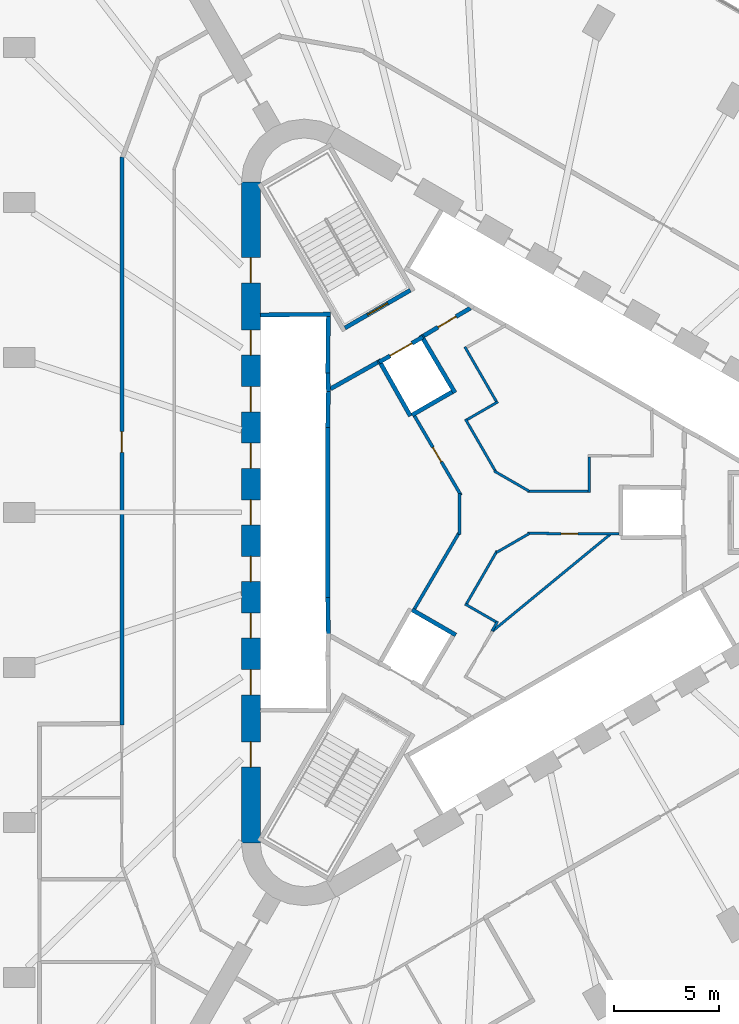
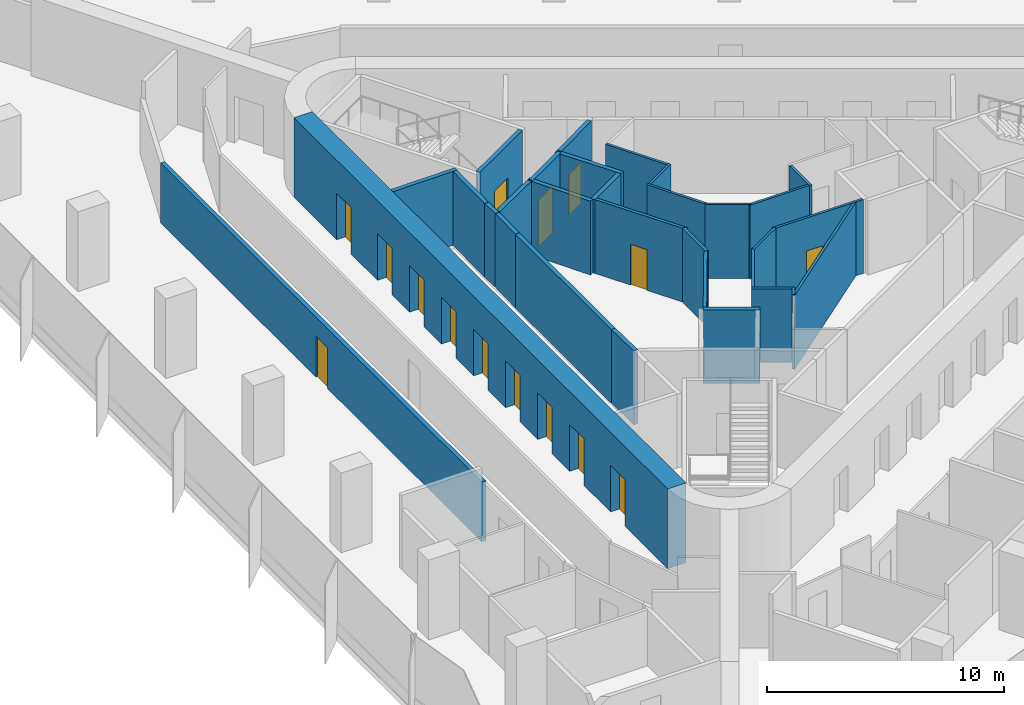
# One storey, part 11 of 15: 31 walls, 15 doors, 15 openings.
"""IFC4 building model written with IfcOpenShell, lengths in metres."""

from ifc_helpers import new_model, si_unit, direction, frame, frame_2d, origin, place, context, subcontext, project, spatial, rectangle, extrude, material, layer, layer_set, type_object, element, fill, save


model = new_model("IFC4")

# Units and contexts
model_context = context("Model", 3, precision=1e-05, world=origin(), true_north=direction((0.0, 1.0)))
body_context = subcontext(model_context, "Body", "Model", "MODEL_VIEW")
ifc_project = project(units=[si_unit("LENGTHUNIT", "METRE"), si_unit("AREAUNIT", "SQUARE_METRE"), si_unit("VOLUMEUNIT", "CUBIC_METRE"), si_unit("PLANEANGLEUNIT", "RADIAN"), si_unit("MASSUNIT", "GRAM", prefix="KILO")], contexts=[model_context])

# Site, building, storey
site_placement = place(None, origin())
site = spatial("IfcSite", under=ifc_project, at=site_placement, CompositionType="ELEMENT")
building_placement = place(site_placement, origin())
building = spatial("IfcBuilding", under=site, at=building_placement, Name="Tanit Gate Tower", CompositionType="ELEMENT")
storey_placement = place(building_placement, frame((0.0, 0.0, 131.60009765625)))
storey = spatial("IfcBuildingStorey", under=building, at=storey_placement, Name="L28", CompositionType="ELEMENT", Elevation=131.60009765625)

# Wall, openings, doors
ifc_material_1 = material(Name="Concrete C60/75", Category="concrete")
ifc_layer_1 = layer(ifc_material_1, 0.89990234375)
ifc_layer_set_1 = layer_set([ifc_layer_1], Name="CORE WALL 900 C60/75")
wall_type_1 = type_object("IfcWallType", Name="CORE WALL 900 C60/75", PredefinedType="SHEAR", material=ifc_layer_set_1)
wall_1_placement = place(storey_placement, frame((-11.64990234375, 15.76171875, 0.0), z_axis=(0.0, 0.0, 1.0), x_axis=(0.0, -1.0, 0.0)))
wall_1 = element("IfcWall", 1, at=wall_1_placement, inside=storey, type_object=wall_type_1, Name="CORE WALL", PredefinedType="SHEAR", context=body_context, shape_type="SweptSolid", body=[
    extrude(rectangle(XDim=31.5234375, YDim=0.89990234375, at=frame_2d((15.76171875, 0.0))), origin(), (0.0, 0.0, 1.0), 4.099853515625),
])
opening_1_placement = place(wall_1_placement, frame((7.061767578125, 0.0, 0.0)))
opening_1 = element("IfcOpeningElement", 2, at=opening_1_placement, cuts=wall_1, Name="Opening LDLL1-S07", PredefinedType="OPENING", context=body_context, shape_type="SweptSolid", body=[
    extrude(rectangle(XDim=1.199951171875, YDim=2.39990234375, at=frame_2d((0.60009765625, 1.199951171875))), frame((0.0, 0.4599609375, 0.0), z_axis=(0.0, -1.0, 0.0), x_axis=(1.0, 0.0, 0.0)), (0.0, 0.0, 1.0), 0.919921875),
])
opening_2_placement = place(wall_1_placement, frame((9.76171875, 0.0, 0.0)))
opening_2 = element("IfcOpeningElement", 3, at=opening_2_placement, cuts=wall_1, Name="Opening LDLL2-S07", PredefinedType="OPENING", context=body_context, shape_type="SweptSolid", body=[
    extrude(rectangle(XDim=1.199951171875, YDim=2.39990234375, at=frame_2d((0.60009765625, 1.199951171875))), frame((0.0, 0.4599609375, 0.0), z_axis=(0.0, -1.0, 0.0), x_axis=(1.0, 0.0, 0.0)), (0.0, 0.0, 1.0), 0.919921875),
])
opening_3_placement = place(wall_1_placement, frame((12.461669921875, 0.0, 0.0)))
opening_3 = element("IfcOpeningElement", 4, at=opening_3_placement, cuts=wall_1, Name="Opening LDLL3-S07", PredefinedType="OPENING", context=body_context, shape_type="SweptSolid", body=[
    extrude(rectangle(XDim=1.199951171875, YDim=2.39990234375, at=frame_2d((0.60009765625, 1.199951171875))), frame((0.0, 0.4599609375, 0.0), z_axis=(0.0, -1.0, 0.0), x_axis=(1.0, 0.0, 0.0)), (0.0, 0.0, 1.0), 0.919921875),
])
opening_4_placement = place(wall_1_placement, frame((15.16162109375, 0.0, 0.0)))
opening_4 = element("IfcOpeningElement", 5, at=opening_4_placement, cuts=wall_1, Name="Opening LDLL4-S07", PredefinedType="OPENING", context=body_context, shape_type="SweptSolid", body=[
    extrude(rectangle(XDim=1.199951171875, YDim=2.39990234375, at=frame_2d((0.60009765625, 1.199951171875))), frame((0.0, 0.4599609375, 0.0), z_axis=(0.0, -1.0, 0.0), x_axis=(1.0, 0.0, 0.0)), (0.0, 0.0, 1.0), 0.919921875),
])
opening_5_placement = place(wall_1_placement, frame((17.86181640625, 0.0, 0.0)))
opening_5 = element("IfcOpeningElement", 6, at=opening_5_placement, cuts=wall_1, Name="Opening LDLL5-S07", PredefinedType="OPENING", context=body_context, shape_type="SweptSolid", body=[
    extrude(rectangle(XDim=1.199951171875, YDim=2.39990234375, at=frame_2d((0.60009765625, 1.199951171875))), frame((0.0, 0.4599609375, 0.0), z_axis=(0.0, -1.0, 0.0), x_axis=(1.0, 0.0, 0.0)), (0.0, 0.0, 1.0), 0.919921875),
])
opening_6_placement = place(wall_1_placement, frame((20.561767578125, 0.0, 0.0)))
opening_6 = element("IfcOpeningElement", 7, at=opening_6_placement, cuts=wall_1, Name="Opening LDLL6-S07", PredefinedType="OPENING", context=body_context, shape_type="SweptSolid", body=[
    extrude(rectangle(XDim=1.199951171875, YDim=2.39990234375, at=frame_2d((0.60009765625, 1.199951171875))), frame((0.0, 0.4599609375, 0.0), z_axis=(0.0, -1.0, 0.0), x_axis=(1.0, 0.0, 0.0)), (0.0, 0.0, 1.0), 0.919921875),
])
opening_7_placement = place(wall_1_placement, frame((23.26171875, 0.0, 0.0)))
opening_7 = element("IfcOpeningElement", 8, at=opening_7_placement, cuts=wall_1, Name="Opening LDLL7-S07", PredefinedType="OPENING", context=body_context, shape_type="SweptSolid", body=[
    extrude(rectangle(XDim=1.199951171875, YDim=2.39990234375, at=frame_2d((0.60009765625, 1.199951171875))), frame((0.0, 0.4599609375, 0.0), z_axis=(0.0, -1.0, 0.0), x_axis=(1.0, 0.0, 0.0)), (0.0, 0.0, 1.0), 0.919921875),
])
opening_8_placement = place(wall_1_placement, frame((3.61181640625, 0.0, 0.0)))
opening_8 = element("IfcOpeningElement", 9, at=opening_8_placement, cuts=wall_1, Name="Opening F12-S07-FL2", PredefinedType="OPENING", context=body_context, shape_type="SweptSolid", body=[
    extrude(rectangle(XDim=1.199951171875, YDim=2.39990234375, at=frame_2d((0.60009765625, 1.199951171875))), frame((0.0, 0.4599609375, 0.0), z_axis=(0.0, -1.0, 0.0), x_axis=(1.0, 0.0, 0.0)), (0.0, 0.0, 1.0), 0.919921875),
])
opening_9_placement = place(wall_1_placement, frame((26.711669921875, 0.0, 0.0)))
opening_9 = element("IfcOpeningElement", 10, at=opening_9_placement, cuts=wall_1, Name="Opening F12-S07-S3", PredefinedType="OPENING", context=body_context, shape_type="SweptSolid", body=[
    extrude(rectangle(XDim=1.199951171875, YDim=2.39990234375, at=frame_2d((0.60009765625, 1.199951171875))), frame((0.0, 0.4599609375, 0.0), z_axis=(0.0, -1.0, 0.0), x_axis=(1.0, 0.0, 0.0)), (0.0, 0.0, 1.0), 0.919921875),
])
ifc_material_2 = material(Name="Fire-rated steel door leaf", Category="steel")
door_type_1 = type_object("IfcDoorType", Name="INT-DOOR-FIRE-LOBBY-1200", OperationType="NOTDEFINED", PredefinedType="USERDEFINED", material=ifc_material_2)
door_1_placement = place(opening_8_placement, origin())
door_1 = element("IfcDoor", 11, at=door_1_placement, inside=storey, type_object=door_type_1, Name="Door F12-S07-FL2", ObjectType="FIRE DOOR", OperationType="SINGLE_SWING_LEFT", OverallHeight=2.39990234375, OverallWidth=1.199951171875, PredefinedType="USERDEFINED", context=body_context, shape_type="SweptSolid", body=[
    extrude(rectangle(XDim=1.199951171875, YDim=2.39990234375, at=frame_2d((0.60009765625, 1.199951171875))), frame((0.0, 0.02490234375, 0.0), z_axis=(0.0, -1.0, 0.0), x_axis=(1.0, 0.0, 0.0)), (0.0, 0.0, 1.0), 0.050048828125),
])
fill(opening_8, door_1)
door_2_placement = place(opening_9_placement, origin())
door_2 = element("IfcDoor", 12, at=door_2_placement, inside=storey, type_object=door_type_1, Name="Door F12-S07-S3", ObjectType="FIRE DOOR", OperationType="SINGLE_SWING_LEFT", OverallHeight=2.39990234375, OverallWidth=1.199951171875, PredefinedType="USERDEFINED", context=body_context, shape_type="SweptSolid", body=[
    extrude(rectangle(XDim=1.199951171875, YDim=2.39990234375, at=frame_2d((0.60009765625, 1.199951171875))), frame((0.0, 0.02490234375, 0.0), z_axis=(0.0, -1.0, 0.0), x_axis=(1.0, 0.0, 0.0)), (0.0, 0.0, 1.0), 0.050048828125),
])
fill(opening_9, door_2)
ifc_material_3 = material(Name="Stainless steel sliding door leaf", Category="steel")
door_type_2 = type_object("IfcDoorType", Name="INT-DOOR-LANDING-1200", OperationType="NOTDEFINED", PredefinedType="USERDEFINED", material=ifc_material_3)
door_3_placement = place(opening_1_placement, origin())
door_3 = element("IfcDoor", 13, at=door_3_placement, inside=storey, type_object=door_type_2, Name="Door LDLL1-S07", ObjectType="LANDING DOOR", OperationType="SLIDING_TO_LEFT", OverallHeight=2.39990234375, OverallWidth=1.199951171875, PredefinedType="USERDEFINED", context=body_context, shape_type="SweptSolid", body=[
    extrude(rectangle(XDim=1.199951171875, YDim=2.39990234375, at=frame_2d((0.60009765625, 1.199951171875))), frame((0.0, 0.02490234375, 0.0), z_axis=(0.0, -1.0, 0.0), x_axis=(1.0, 0.0, 0.0)), (0.0, 0.0, 1.0), 0.050048828125),
])
fill(opening_1, door_3)
door_4_placement = place(opening_2_placement, origin())
door_4 = element("IfcDoor", 14, at=door_4_placement, inside=storey, type_object=door_type_2, Name="Door LDLL2-S07", ObjectType="LANDING DOOR", OperationType="SLIDING_TO_LEFT", OverallHeight=2.39990234375, OverallWidth=1.199951171875, PredefinedType="USERDEFINED", context=body_context, shape_type="SweptSolid", body=[
    extrude(rectangle(XDim=1.199951171875, YDim=2.39990234375, at=frame_2d((0.60009765625, 1.199951171875))), frame((0.0, 0.02490234375, 0.0), z_axis=(0.0, -1.0, 0.0), x_axis=(1.0, 0.0, 0.0)), (0.0, 0.0, 1.0), 0.050048828125),
])
fill(opening_2, door_4)
door_5_placement = place(opening_3_placement, origin())
door_5 = element("IfcDoor", 15, at=door_5_placement, inside=storey, type_object=door_type_2, Name="Door LDLL3-S07", ObjectType="LANDING DOOR", OperationType="SLIDING_TO_LEFT", OverallHeight=2.39990234375, OverallWidth=1.199951171875, PredefinedType="USERDEFINED", context=body_context, shape_type="SweptSolid", body=[
    extrude(rectangle(XDim=1.199951171875, YDim=2.39990234375, at=frame_2d((0.60009765625, 1.199951171875))), frame((0.0, 0.02490234375, 0.0), z_axis=(0.0, -1.0, 0.0), x_axis=(1.0, 0.0, 0.0)), (0.0, 0.0, 1.0), 0.050048828125),
])
fill(opening_3, door_5)
door_6_placement = place(opening_4_placement, origin())
door_6 = element("IfcDoor", 16, at=door_6_placement, inside=storey, type_object=door_type_2, Name="Door LDLL4-S07", ObjectType="LANDING DOOR", OperationType="SLIDING_TO_LEFT", OverallHeight=2.39990234375, OverallWidth=1.199951171875, PredefinedType="USERDEFINED", context=body_context, shape_type="SweptSolid", body=[
    extrude(rectangle(XDim=1.199951171875, YDim=2.39990234375, at=frame_2d((0.60009765625, 1.199951171875))), frame((0.0, 0.02490234375, 0.0), z_axis=(0.0, -1.0, 0.0), x_axis=(1.0, 0.0, 0.0)), (0.0, 0.0, 1.0), 0.050048828125),
])
fill(opening_4, door_6)
door_7_placement = place(opening_5_placement, origin())
door_7 = element("IfcDoor", 17, at=door_7_placement, inside=storey, type_object=door_type_2, Name="Door LDLL5-S07", ObjectType="LANDING DOOR", OperationType="SLIDING_TO_LEFT", OverallHeight=2.39990234375, OverallWidth=1.199951171875, PredefinedType="USERDEFINED", context=body_context, shape_type="SweptSolid", body=[
    extrude(rectangle(XDim=1.199951171875, YDim=2.39990234375, at=frame_2d((0.60009765625, 1.199951171875))), frame((0.0, 0.02490234375, 0.0), z_axis=(0.0, -1.0, 0.0), x_axis=(1.0, 0.0, 0.0)), (0.0, 0.0, 1.0), 0.050048828125),
])
fill(opening_5, door_7)
door_8_placement = place(opening_6_placement, origin())
door_8 = element("IfcDoor", 18, at=door_8_placement, inside=storey, type_object=door_type_2, Name="Door LDLL6-S07", ObjectType="LANDING DOOR", OperationType="SLIDING_TO_LEFT", OverallHeight=2.39990234375, OverallWidth=1.199951171875, PredefinedType="USERDEFINED", context=body_context, shape_type="SweptSolid", body=[
    extrude(rectangle(XDim=1.199951171875, YDim=2.39990234375, at=frame_2d((0.60009765625, 1.199951171875))), frame((0.0, 0.02490234375, 0.0), z_axis=(0.0, -1.0, 0.0), x_axis=(1.0, 0.0, 0.0)), (0.0, 0.0, 1.0), 0.050048828125),
])
fill(opening_6, door_8)
door_9_placement = place(opening_7_placement, origin())
door_9 = element("IfcDoor", 19, at=door_9_placement, inside=storey, type_object=door_type_2, Name="Door LDLL7-S07", ObjectType="LANDING DOOR", OperationType="SLIDING_TO_LEFT", OverallHeight=2.39990234375, OverallWidth=1.199951171875, PredefinedType="USERDEFINED", context=body_context, shape_type="SweptSolid", body=[
    extrude(rectangle(XDim=1.199951171875, YDim=2.39990234375, at=frame_2d((0.60009765625, 1.199951171875))), frame((0.0, 0.02490234375, 0.0), z_axis=(0.0, -1.0, 0.0), x_axis=(1.0, 0.0, 0.0)), (0.0, 0.0, 1.0), 0.050048828125),
])
fill(opening_7, door_9)

# Wall
ifc_material_4 = material(Name="Fire-rated gypsum board partition")
ifc_layer_2 = layer(ifc_material_4, 0.199951171875)
ifc_layer_set_2 = layer_set([ifc_layer_2], Name="INT-WALL-COMPARTMENT")
wall_type_2 = type_object("IfcWallType", Name="INT-WALL-COMPARTMENT", PredefinedType="PARTITIONING", material=ifc_layer_set_2)
wall_2_placement = place(storey_placement, frame((-5.600341796875, 7.16015625, 0.0), z_axis=(0.0, 0.0, 1.0), x_axis=(-0.871340486379, -0.490678873396, 0.0)))
element("IfcWall", 20, at=wall_2_placement, inside=storey, type_object=wall_type_2, Name="Wall Compartment W061", PredefinedType="PARTITIONING", context=body_context, shape_type="SweptSolid", body=[
    extrude(rectangle(XDim=2.580810546875, YDim=0.199951171875, at=frame_2d((1.29052734375, 0.0))), origin(), (0.0, 0.0, 1.0), 3.7998046875),
])

# Wall, opening, door
wall_3_placement = place(storey_placement, frame((-1.179443359375, 9.74462890625, 0.0), z_axis=(0.0, 0.0, 1.0), x_axis=(-0.860598681535, -0.509283721849, 0.0)))
wall_3 = element("IfcWall", 21, at=wall_3_placement, inside=storey, type_object=wall_type_2, Name="Wall Compartment W062", PredefinedType="PARTITIONING", context=body_context, shape_type="SweptSolid", body=[
    extrude(rectangle(XDim=2.5810546875, YDim=0.199951171875, at=frame_2d((1.29052734375, 0.0))), origin(), (0.0, 0.0, 1.0), 3.7998046875),
])
opening_10_placement = place(wall_3_placement, frame((0.79052734375, 0.0, 0.0)))
opening_10 = element("IfcOpeningElement", 22, at=opening_10_placement, cuts=wall_3, Name="Opening F10-S07-05", PredefinedType="OPENING", context=body_context, shape_type="SweptSolid", body=[
    extrude(rectangle(XDim=1.0, YDim=2.10009765625, at=frame_2d((0.5, 1.050048828125))), frame((0.0, 0.10986328125, 0.0), z_axis=(0.0, -1.0, 0.0), x_axis=(1.0, 0.0, 0.0)), (0.0, 0.0, 1.0), 0.219970703125),
])
ifc_material_5 = material(Name="Fire-rated steel door leaf", Category="steel")
door_type_3 = type_object("IfcDoorType", Name="INT-DOOR-FIRE-1000", OperationType="NOTDEFINED", PredefinedType="USERDEFINED", material=ifc_material_5)
door_10_placement = place(opening_10_placement, origin())
door_10 = element("IfcDoor", 23, at=door_10_placement, inside=storey, type_object=door_type_3, Name="Door F10-S07-05", ObjectType="FIRE DOOR", OperationType="SINGLE_SWING_RIGHT", OverallHeight=2.10009765625, OverallWidth=1.0, PredefinedType="USERDEFINED", context=body_context, shape_type="SweptSolid", body=[
    extrude(rectangle(XDim=1.0, YDim=2.10009765625, at=frame_2d((0.5, 1.050048828125))), frame((0.0, 0.02490234375, 0.0), z_axis=(0.0, -1.0, 0.0), x_axis=(1.0, 0.0, 0.0)), (0.0, 0.0, 1.0), 0.050048828125),
])
fill(opening_10, door_10)

wall_4_placement = place(storey_placement, frame((-17.800048828125, 16.946044921875, 0.0), z_axis=(0.0, 0.0, 1.0), x_axis=(0.0, -1.0, 0.0)))
wall_4 = element("IfcWall", 24, at=wall_4_placement, inside=storey, type_object=wall_type_2, Name="Wall Compartment W091", PredefinedType="PARTITIONING", context=body_context, shape_type="SweptSolid", body=[
    extrude(rectangle(XDim=27.075927734375, YDim=0.199951171875, at=frame_2d((13.5380859375, 0.0))), origin(), (0.0, 0.0, 1.0), 3.079833984375),
])
opening_11_placement = place(wall_4_placement, frame((13.087890625, 0.0, 0.0)))
opening_11 = element("IfcOpeningElement", 25, at=opening_11_placement, cuts=wall_4, Name="Opening F10-S07-23", PredefinedType="OPENING", context=body_context, shape_type="SweptSolid", body=[
    extrude(rectangle(XDim=1.0, YDim=2.10009765625, at=frame_2d((0.5, 1.050048828125))), frame((0.0, 0.10986328125, 0.0), z_axis=(0.0, -1.0, 0.0), x_axis=(1.0, 0.0, 0.0)), (0.0, 0.0, 1.0), 0.219970703125),
])
door_11_placement = place(opening_11_placement, origin())
door_11 = element("IfcDoor", 26, at=door_11_placement, inside=storey, type_object=door_type_3, Name="Door F10-S07-23", ObjectType="FIRE DOOR", OperationType="SINGLE_SWING_LEFT", OverallHeight=2.10009765625, OverallWidth=1.0, PredefinedType="USERDEFINED", context=body_context, shape_type="SweptSolid", body=[
    extrude(rectangle(XDim=1.0, YDim=2.10009765625, at=frame_2d((0.5, 1.050048828125))), frame((0.0, 0.02490234375, 0.0), z_axis=(0.0, -1.0, 0.0), x_axis=(1.0, 0.0, 0.0)), (0.0, 0.0, 1.0), 0.050048828125),
])
fill(opening_11, door_11)

# Wall
ifc_material_6 = material(Name="Gypsum board partition")
ifc_layer_3 = layer(ifc_material_6, 0.1201171875)
ifc_layer_set_3 = layer_set([ifc_layer_3], Name="INT-WALL-PARTITION")
wall_type_3 = type_object("IfcWallType", Name="INT-WALL-PARTITION", PredefinedType="PARTITIONING", material=ifc_layer_set_3)
wall_5_placement = place(storey_placement, frame((5.5478515625, -1.0, 0.0), z_axis=(0.0, 0.0, 1.0), x_axis=(-0.772345431507, -0.635202750648, 0.0)))
element("IfcWall", 27, at=wall_5_placement, inside=storey, type_object=wall_type_3, Name="Wall Partition W068", PredefinedType="PARTITIONING", context=body_context, shape_type="SweptSolid", body=[
    extrude(rectangle(XDim=7.41455078125, YDim=0.1201171875, at=frame_2d((3.707275390625, 0.0))), origin(), (0.0, 0.0, 1.0), 3.7998046875),
])

# Wall, opening, door
wall_6_placement = place(storey_placement, frame((5.89990234375, -1.02880859375, 0.0), z_axis=(0.0, 0.0, 1.0), x_axis=(-0.999977012451, 0.006780454946, 0.0)))
wall_6 = element("IfcWall", 28, at=wall_6_placement, inside=storey, type_object=wall_type_3, Name="Wall Partition W071", PredefinedType="PARTITIONING", context=body_context, shape_type="SweptSolid", body=[
    extrude(rectangle(XDim=4.356689453125, YDim=0.1201171875, at=frame_2d((2.17822265625, 0.0))), origin(), (0.0, 0.0, 1.0), 3.7998046875),
])
opening_12_placement = place(wall_6_placement, frame((1.9541015625, 0.0, 0.0)))
opening_12 = element("IfcOpeningElement", 29, at=opening_12_placement, cuts=wall_6, Name="Opening R08-S07-12", PredefinedType="OPENING", context=body_context, shape_type="SweptSolid", body=[
    extrude(rectangle(XDim=0.800048828125, YDim=2.10009765625, at=frame_2d((0.39990234375, 1.050048828125))), frame((0.0, 0.070068359375, 0.0), z_axis=(0.0, -1.0, 0.0), x_axis=(1.0, 0.0, 0.0)), (0.0, 0.0, 1.0), 0.14013671875),
])
ifc_material_7 = material(Name="Timber door leaf", Category="wood")
door_type_4 = type_object("IfcDoorType", Name="INT-DOOR-RISER-800", OperationType="NOTDEFINED", PredefinedType="USERDEFINED", material=ifc_material_7)
door_12_placement = place(opening_12_placement, origin())
door_12 = element("IfcDoor", 30, at=door_12_placement, inside=storey, type_object=door_type_4, Name="Door R08-S07-12", ObjectType="FIRE DOOR", OperationType="SINGLE_SWING_RIGHT", OverallHeight=2.10009765625, OverallWidth=0.800048828125, PredefinedType="USERDEFINED", context=body_context, shape_type="SweptSolid", body=[
    extrude(rectangle(XDim=0.800048828125, YDim=2.10009765625, at=frame_2d((0.39990234375, 1.050048828125))), frame((0.0, 0.02490234375, 0.0), z_axis=(0.0, -1.0, 0.0), x_axis=(1.0, 0.0, 0.0)), (0.0, 0.0, 1.0), 0.050048828125),
])
fill(opening_12, door_12)

# Walls
wall_7_placement = place(storey_placement, frame((-0.14404296875, -5.6494140625, 0.0), z_axis=(0.0, 0.0, 1.0), x_axis=(0.499843319224, 0.866115844577, 0.0)))
element("IfcWall", 31, at=wall_7_placement, inside=storey, type_object=wall_type_3, Name="Wall Partition W072", PredefinedType="PARTITIONING", context=body_context, shape_type="SweptSolid", body=[
    extrude(rectangle(XDim=0.524658203125, YDim=0.1201171875, at=frame_2d((0.26220703125, 0.0))), origin(), (0.0, 0.0, 1.0), 3.7998046875),
])
wall_8_placement = place(storey_placement, frame((-1.43603515625, -4.3671875, 0.0), z_axis=(0.0, 0.0, 1.0), x_axis=(0.866087547558, -0.499892348375, 0.0)))
element("IfcWall", 32, at=wall_8_placement, inside=storey, type_object=wall_type_3, Name="Wall Partition W073", PredefinedType="PARTITIONING", context=body_context, shape_type="SweptSolid", body=[
    extrude(rectangle(XDim=1.699951171875, YDim=0.1201171875, at=frame_2d((0.85009765625, 0.0))), origin(), (0.0, 0.0, 1.0), 3.7998046875),
])
wall_9_placement = place(storey_placement, frame((0.09521484375, -1.8349609375, 0.0), z_axis=(0.0, 0.0, 1.0), x_axis=(-0.499980071345, -0.866036909293, 0.0)))
element("IfcWall", 33, at=wall_9_placement, inside=storey, type_object=wall_type_3, Name="Wall Partition W074", PredefinedType="PARTITIONING", context=body_context, shape_type="SweptSolid", body=[
    extrude(rectangle(XDim=2.8984375, YDim=0.1201171875, at=frame_2d((1.44921875, 0.0))), origin(), (0.0, 0.0, 1.0), 3.7998046875),
])
wall_10_placement = place(storey_placement, frame((1.629150390625, -1.009521484375, 0.0), z_axis=(0.0, 0.0, 1.0), x_axis=(-0.866046528967, -0.499963408325, 0.0)))
element("IfcWall", 34, at=wall_10_placement, inside=storey, type_object=wall_type_3, Name="Wall Partition W075", PredefinedType="PARTITIONING", context=body_context, shape_type="SweptSolid", body=[
    extrude(rectangle(XDim=1.812744140625, YDim=0.1201171875, at=frame_2d((0.90625, 0.0))), origin(), (0.0, 0.0, 1.0), 3.7998046875),
])
wall_11_placement = place(storey_placement, frame((4.5, 0.93994140625, 0.0), z_axis=(0.0, 0.0, 1.0), x_axis=(0.0, 1.0, 0.0)))
element("IfcWall", 35, at=wall_11_placement, inside=storey, type_object=wall_type_3, Name="Wall Partition W079", PredefinedType="PARTITIONING", context=body_context, shape_type="SweptSolid", body=[
    extrude(rectangle(XDim=1.699951171875, YDim=0.1201171875, at=frame_2d((0.85009765625, 0.0))), origin(), (0.0, 0.0, 1.0), 3.7998046875),
])
wall_12_placement = place(storey_placement, frame((1.54150390625, 1.0, 0.0), z_axis=(0.0, 0.0, 1.0), x_axis=(1.0, 0.0, 0.0)))
element("IfcWall", 36, at=wall_12_placement, inside=storey, type_object=wall_type_3, Name="Wall Partition W080", PredefinedType="PARTITIONING", context=body_context, shape_type="SweptSolid", body=[
    extrude(rectangle(XDim=2.8984375, YDim=0.1201171875, at=frame_2d((1.44921875, 0.0))), origin(), (0.0, 0.0, 1.0), 3.7998046875),
])
wall_13_placement = place(storey_placement, frame((-0.046630859375, 1.97705078125, 0.0), z_axis=(0.0, 0.0, 1.0), x_axis=(0.865998615205, -0.500046396311, 0.0)))
element("IfcWall", 37, at=wall_13_placement, inside=storey, type_object=wall_type_3, Name="Wall Partition W081", PredefinedType="PARTITIONING", context=body_context, shape_type="SweptSolid", body=[
    extrude(rectangle(XDim=1.935302734375, YDim=0.1201171875, at=frame_2d((0.9677734375, 0.0))), origin(), (0.0, 0.0, 1.0), 3.7998046875),
])
wall_14_placement = place(storey_placement, frame((-1.4140625, 4.448974609375, 0.0), z_axis=(0.0, 0.0, 1.0), x_axis=(0.500028961621, -0.866008682139, 0.0)))
element("IfcWall", 38, at=wall_14_placement, inside=storey, type_object=wall_type_3, Name="Wall Partition W082", PredefinedType="PARTITIONING", context=body_context, shape_type="SweptSolid", body=[
    extrude(rectangle(XDim=2.895751953125, YDim=0.1201171875, at=frame_2d((1.44775390625, 0.0))), origin(), (0.0, 0.0, 1.0), 3.7998046875),
])
wall_15_placement = place(storey_placement, frame((0.14013671875, 5.277099609375, 0.0), z_axis=(0.0, 0.0, 1.0), x_axis=(-0.865989465428, -0.500062241894, 0.0)))
element("IfcWall", 39, at=wall_15_placement, inside=storey, type_object=wall_type_3, Name="Wall Partition W083", PredefinedType="PARTITIONING", context=body_context, shape_type="SweptSolid", body=[
    extrude(rectangle(XDim=1.699951171875, YDim=0.1201171875, at=frame_2d((0.85009765625, 0.0))), origin(), (0.0, 0.0, 1.0), 3.7998046875),
])
wall_16_placement = place(storey_placement, frame((-1.441650390625, 7.897216796875, 0.0), z_axis=(0.0, 0.0, 1.0), x_axis=(0.499990139034, -0.866031096941, 0.0)))
element("IfcWall", 40, at=wall_16_placement, inside=storey, type_object=wall_type_3, Name="Wall Partition W084", PredefinedType="PARTITIONING", context=body_context, shape_type="SweptSolid", body=[
    extrude(rectangle(XDim=3.0, YDim=0.1201171875, at=frame_2d((1.5, 0.0))), origin(), (0.0, 0.0, 1.0), 3.7998046875),
])

# Wall, opening, door
ifc_material_8 = material(Name="Fire-rated gypsum board partition")
ifc_layer_4 = layer(ifc_material_8, 0.14990234375)
ifc_layer_set_4 = layer_set([ifc_layer_4], Name="INT-WALL-RISER")
wall_type_4 = type_object("IfcWallType", Name="INT-WALL-RISER", PredefinedType="PLUMBINGWALL", material=ifc_layer_set_4)
wall_17_placement = place(storey_placement, frame((-1.6240234375, 0.814697265625, 0.0), z_axis=(0.0, 0.0, 1.0), x_axis=(-0.505868173579, 0.862610799237, 0.0)))
wall_17 = element("IfcWall", 41, at=wall_17_placement, inside=storey, type_object=wall_type_4, Name="Wall Riser W065", PredefinedType="PLUMBINGWALL", context=body_context, shape_type="SweptSolid", body=[
    extrude(rectangle(XDim=4.382568359375, YDim=0.14990234375, at=frame_2d((2.19140625, 0.0))), origin(), (0.0, 0.0, 1.0), 3.7998046875),
])
opening_13_placement = place(wall_17_placement, frame((1.855224609375, 0.0, 0.0)))
opening_13 = element("IfcOpeningElement", 42, at=opening_13_placement, cuts=wall_17, Name="Opening R08-S07-10", PredefinedType="OPENING", context=body_context, shape_type="SweptSolid", body=[
    extrude(rectangle(XDim=0.800048828125, YDim=2.10009765625, at=frame_2d((0.39990234375, 1.050048828125))), frame((0.0, 0.0849609375, 0.0), z_axis=(0.0, -1.0, 0.0), x_axis=(1.0, 0.0, 0.0)), (0.0, 0.0, 1.0), 0.169921875),
])
door_13_placement = place(opening_13_placement, origin())
door_13 = element("IfcDoor", 43, at=door_13_placement, inside=storey, type_object=door_type_4, Name="Door R08-S07-10", ObjectType="FIRE DOOR", OperationType="SINGLE_SWING_LEFT", OverallHeight=2.10009765625, OverallWidth=0.800048828125, PredefinedType="USERDEFINED", context=body_context, shape_type="SweptSolid", body=[
    extrude(rectangle(XDim=0.800048828125, YDim=2.10009765625, at=frame_2d((0.39990234375, 1.050048828125))), frame((0.0, 0.02490234375, 0.0), z_axis=(0.0, -1.0, 0.0), x_axis=(1.0, 0.0, 0.0)), (0.0, 0.0, 1.0), 0.050048828125),
])
fill(opening_13, door_13)

# Walls
wall_18_placement = place(storey_placement, frame((-1.688720703125, -1.052978515625, 0.0), z_axis=(0.0, 0.0, 1.0), x_axis=(0.0, 1.0, 0.0)))
element("IfcWall", 44, at=wall_18_placement, inside=storey, type_object=wall_type_4, Name="Wall Riser W066", PredefinedType="PLUMBINGWALL", context=body_context, shape_type="SweptSolid", body=[
    extrude(rectangle(XDim=1.954345703125, YDim=0.14990234375, at=frame_2d((0.97705078125, 0.0))), origin(), (0.0, 0.0, 1.0), 3.7998046875),
])
wall_19_placement = place(storey_placement, frame((-3.841064453125, -4.59521484375, 0.0), z_axis=(0.0, 0.0, 1.0), x_axis=(0.505857207696, 0.862617229959, 0.0)))
element("IfcWall", 45, at=wall_19_placement, inside=storey, type_object=wall_type_4, Name="Wall Riser W067", PredefinedType="PLUMBINGWALL", context=body_context, shape_type="SweptSolid", body=[
    extrude(rectangle(XDim=4.231201171875, YDim=0.14990234375, at=frame_2d((2.11572265625, 0.0))), origin(), (0.0, 0.0, 1.0), 3.7998046875),
])
ifc_material_9 = material(Name="Gypsum shaft wall system")
ifc_layer_5 = layer(ifc_material_9, 0.199951171875)
ifc_layer_set_5 = layer_set([ifc_layer_5], Name="INT-WALL-SHAFT")
wall_type_5 = type_object("IfcWallType", Name="INT-WALL-SHAFT", PredefinedType="PLUMBINGWALL", material=ifc_layer_set_5)
wall_20_placement = place(storey_placement, frame((-11.199951171875, 9.419921875, 0.0), z_axis=(0.0, 0.0, 1.0), x_axis=(0.999957167047, 0.009255488683, 0.0)))
element("IfcWall", 46, at=wall_20_placement, inside=storey, type_object=wall_type_5, Name="Wall Shaft W001", PredefinedType="PLUMBINGWALL", context=body_context, shape_type="SweptSolid", body=[
    extrude(rectangle(XDim=3.35009765625, YDim=0.199951171875, at=frame_2d((1.675048828125, 0.0))), origin(), (0.0, 0.0, 1.0), 3.7998046875),
])
wall_21_placement = place(storey_placement, frame((-7.951171875, 9.35009765625, 0.0), z_axis=(0.0, 0.0, 1.0), x_axis=(-0.011120469654, -0.999938165666, 0.0)))
element("IfcWall", 47, at=wall_21_placement, inside=storey, type_object=wall_type_5, Name="Wall Shaft W002", PredefinedType="PLUMBINGWALL", context=body_context, shape_type="SweptSolid", body=[
    extrude(rectangle(XDim=2.700439453125, YDim=0.199951171875, at=frame_2d((1.35009765625, 0.0))), origin(), (0.0, 0.0, 1.0), 3.7998046875),
])
wall_22_placement = place(storey_placement, frame((-7.97705078125, 6.650146484375, 0.0), z_axis=(0.0, 0.0, 1.0), x_axis=(0.030861509705, -0.999523670164, 0.0)))
element("IfcWall", 48, at=wall_22_placement, inside=storey, type_object=wall_type_5, Name="Wall Shaft W004", PredefinedType="PLUMBINGWALL", context=body_context, shape_type="SweptSolid", body=[
    extrude(rectangle(XDim=0.878173828125, YDim=0.199951171875, at=frame_2d((0.43896484375, 0.0))), origin(), (0.0, 0.0, 1.0), 3.7998046875),
])
wall_23_placement = place(storey_placement, frame((-7.948974609375, 5.894287109375, 0.0), z_axis=(0.0, 0.0, 1.0), x_axis=(-0.016809909365, -0.999858703491, 0.0)))
element("IfcWall", 49, at=wall_23_placement, inside=storey, type_object=wall_type_5, Name="Wall Shaft W005", PredefinedType="PLUMBINGWALL", context=body_context, shape_type="SweptSolid", body=[
    extrude(rectangle(XDim=1.844482421875, YDim=0.199951171875, at=frame_2d((0.92236328125, 0.0))), origin(), (0.0, 0.0, 1.0), 3.7998046875),
])
wall_24_placement = place(storey_placement, frame((-7.97998046875, 4.050048828125, 0.0), z_axis=(0.0, 0.0, 1.0), x_axis=(0.0, -1.0, 0.0)))
element("IfcWall", 50, at=wall_24_placement, inside=storey, type_object=wall_type_5, Name="Wall Shaft W006", PredefinedType="PLUMBINGWALL", context=body_context, shape_type="SweptSolid", body=[
    extrude(rectangle(XDim=8.10009765625, YDim=0.199951171875, at=frame_2d((4.050048828125, 0.0))), origin(), (0.0, 0.0, 1.0), 3.7998046875),
])
wall_25_placement = place(storey_placement, frame((-7.97998046875, -4.050048828125, 0.0), z_axis=(0.0, 0.0, 1.0), x_axis=(0.016809909365, -0.999858703491, 0.0)))
element("IfcWall", 51, at=wall_25_placement, inside=storey, type_object=wall_type_5, Name="Wall Shaft W010", PredefinedType="PLUMBINGWALL", context=body_context, shape_type="SweptSolid", body=[
    extrude(rectangle(XDim=1.844482421875, YDim=0.199951171875, at=frame_2d((0.92236328125, 0.0))), origin(), (0.0, 0.0, 1.0), 3.7998046875),
])

# Wall, opening, door
wall_26_placement = place(storey_placement, frame((-5.524169921875, 7.168212890625, 0.0), z_axis=(0.0, 0.0, 1.0), x_axis=(0.866024647952, 0.500001309137, 0.0)))
wall_26 = element("IfcWall", 52, at=wall_26_placement, inside=storey, type_object=wall_type_5, Name="Wall Shaft W045", PredefinedType="PLUMBINGWALL", context=body_context, shape_type="SweptSolid", body=[
    extrude(rectangle(XDim=2.39990234375, YDim=0.199951171875, at=frame_2d((1.199951171875, 0.0))), origin(), (0.0, 0.0, 1.0), 3.7998046875),
])
opening_14_placement = place(wall_26_placement, frame((0.60009765625, 0.0, 0.0)))
opening_14 = element("IfcOpeningElement", 53, at=opening_14_placement, cuts=wall_26, Name="Opening LDFL2-L28", PredefinedType="OPENING", context=body_context, shape_type="SweptSolid", body=[
    extrude(rectangle(XDim=1.199951171875, YDim=2.39990234375, at=frame_2d((0.60009765625, 1.199951171875))), frame((0.0, 0.10986328125, 0.0), z_axis=(0.0, -1.0, 0.0), x_axis=(1.0, 0.0, 0.0)), (0.0, 0.0, 1.0), 0.219970703125),
])
door_14_placement = place(opening_14_placement, origin())
door_14 = element("IfcDoor", 54, at=door_14_placement, inside=storey, type_object=door_type_2, Name="Door LDFL2-L28", ObjectType="LANDING DOOR", OperationType="SLIDING_TO_LEFT", OverallHeight=2.39990234375, OverallWidth=1.199951171875, PredefinedType="USERDEFINED", context=body_context, shape_type="SweptSolid", body=[
    extrude(rectangle(XDim=1.199951171875, YDim=2.39990234375, at=frame_2d((0.60009765625, 1.199951171875))), frame((0.0, 0.02490234375, 0.0), z_axis=(0.0, -1.0, 0.0), x_axis=(1.0, 0.0, 0.0)), (0.0, 0.0, 1.0), 0.050048828125),
])
fill(opening_14, door_14)

# Walls
wall_27_placement = place(storey_placement, frame((-4.039306640625, 4.59619140625, 0.0), z_axis=(0.0, 0.0, 1.0), x_axis=(-0.491322718731, 0.870977603649, 0.0)))
element("IfcWall", 55, at=wall_27_placement, inside=storey, type_object=wall_type_5, Name="Wall Shaft W046", PredefinedType="PLUMBINGWALL", context=body_context, shape_type="SweptSolid", body=[
    extrude(rectangle(XDim=3.10009765625, YDim=0.199951171875, at=frame_2d((1.550048828125, 0.0))), origin(), (0.0, 0.0, 1.0), 3.7998046875),
])
wall_28_placement = place(storey_placement, frame((-3.53759765625, 8.46533203125, 0.0), z_axis=(0.0, 0.0, 1.0), x_axis=(0.508616218331, -0.860993346345, 0.0)))
element("IfcWall", 56, at=wall_28_placement, inside=storey, type_object=wall_type_5, Name="Wall Shaft W047", PredefinedType="PLUMBINGWALL", context=body_context, shape_type="SweptSolid", body=[
    extrude(rectangle(XDim=3.2001953125, YDim=0.199951171875, at=frame_2d((1.60009765625, 0.0))), origin(), (0.0, 0.0, 1.0), 3.7998046875),
])
wall_29_placement = place(storey_placement, frame((-2.04736328125, 5.74609375, 0.0), z_axis=(0.0, 0.0, 1.0), x_axis=(-0.866019606374, -0.500010041276, 0.0)))
element("IfcWall", 57, at=wall_29_placement, inside=storey, type_object=wall_type_5, Name="Wall Shaft W048", PredefinedType="PLUMBINGWALL", context=body_context, shape_type="SweptSolid", body=[
    extrude(rectangle(XDim=2.20458984375, YDim=0.199951171875, at=frame_2d((1.102294921875, 0.0))), origin(), (0.0, 0.0, 1.0), 3.7998046875),
])
wall_30_placement = place(storey_placement, frame((-3.95654296875, -4.643798828125, 0.0), z_axis=(0.0, 0.0, 1.0), x_axis=(0.865991127953, -0.500059362782, 0.0)))
element("IfcWall", 58, at=wall_30_placement, inside=storey, type_object=wall_type_5, Name="Wall Shaft W055", PredefinedType="PLUMBINGWALL", context=body_context, shape_type="SweptSolid", body=[
    extrude(rectangle(XDim=2.404541015625, YDim=0.199951171875, at=frame_2d((1.2021484375, 0.0))), origin(), (0.0, 0.0, 1.0), 3.7998046875),
])

# Wall, opening, door
ifc_material_10 = material(Name="Concrete C40/50", Category="concrete")
ifc_layer_6 = layer(ifc_material_10, 0.199951171875)
ifc_layer_set_6 = layer_set([ifc_layer_6], Name="INT-WALL-STAIR")
wall_type_6 = type_object("IfcWallType", Name="INT-WALL-STAIR", PredefinedType="SHEAR", material=ifc_layer_set_6)
wall_31_placement = place(storey_placement, frame((-7.158935546875, 8.799560546875, -0.300048828125), z_axis=(0.0, 0.0, 1.0), x_axis=(0.866047807691, 0.499961193289, 0.0)))
wall_31 = element("IfcWall", 59, at=wall_31_placement, inside=storey, type_object=wall_type_6, Name="Wall Stair W044", PredefinedType="SHEAR", context=body_context, shape_type="SweptSolid", body=[
    extrude(rectangle(XDim=3.599853515625, YDim=0.199951171875, at=frame_2d((1.7998046875, 0.0))), origin(), (0.0, 0.0, 1.0), 4.099853515625),
])
opening_15_placement = place(wall_31_placement, frame((1.25, 0.0, 0.300048828125)))
opening_15 = element("IfcOpeningElement", 60, at=opening_15_placement, cuts=wall_31, Name="Opening S11-S07-04", PredefinedType="OPENING", context=body_context, shape_type="SweptSolid", body=[
    extrude(rectangle(XDim=1.10009765625, YDim=2.10009765625, at=frame_2d((0.550048828125, 1.050048828125))), frame((0.0, 0.10986328125, 0.0), z_axis=(0.0, -1.0, 0.0), x_axis=(1.0, 0.0, 0.0)), (0.0, 0.0, 1.0), 0.219970703125),
])
ifc_material_11 = material(Name="Timber door leaf", Category="wood")
door_type_5 = type_object("IfcDoorType", Name="INT-DOOR-STAIR-1100", OperationType="NOTDEFINED", PredefinedType="USERDEFINED", material=ifc_material_11)
door_15_placement = place(opening_15_placement, origin())
door_15 = element("IfcDoor", 61, at=door_15_placement, inside=storey, type_object=door_type_5, Name="Door S11-S07-04", ObjectType="FIRE DOOR", OperationType="SINGLE_SWING_LEFT", OverallHeight=2.10009765625, OverallWidth=1.10009765625, PredefinedType="USERDEFINED", context=body_context, shape_type="SweptSolid", body=[
    extrude(rectangle(XDim=1.10009765625, YDim=2.10009765625, at=frame_2d((0.550048828125, 1.050048828125))), frame((0.0, 0.02490234375, 0.0), z_axis=(0.0, -1.0, 0.0), x_axis=(1.0, 0.0, 0.0)), (0.0, 0.0, 1.0), 0.050048828125),
])
fill(opening_15, door_15)

save(model, "model.ifc")
